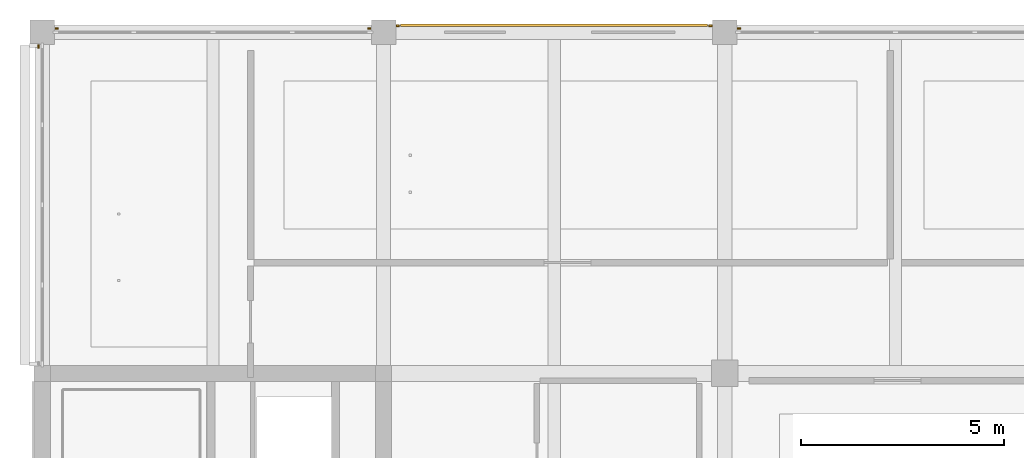
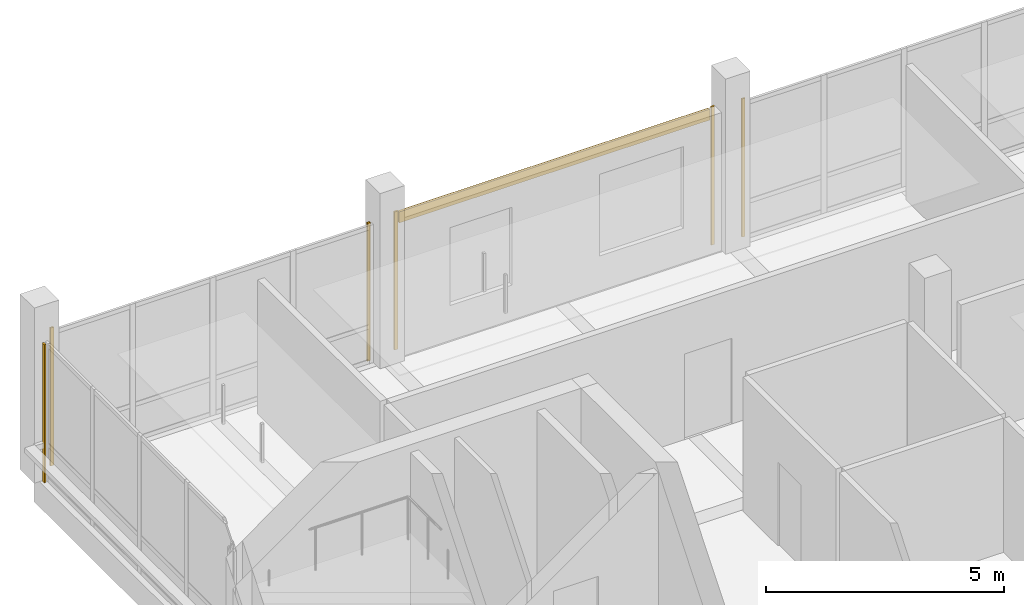
# One storey, part 29 of 30: 7 coverings.
"""IFC4 building model written with IfcOpenShell, lengths in metres."""

from ifc_helpers import new_model, si_unit, direction, frame, origin, origin_2d, place, context, subcontext, project, spatial, rectangle, extrude, material, layer, layer_set, type_object, element, save


model = new_model("IFC4")

# Units and contexts
model_context = context("Model", 3, precision=1e-05, world=origin(), true_north=direction((0.0, 1.0)))
body_context = subcontext(model_context, "Body", "Model", "MODEL_VIEW")
ifc_project = project(units=[si_unit("LENGTHUNIT", "METRE"), si_unit("AREAUNIT", "SQUARE_METRE"), si_unit("VOLUMEUNIT", "CUBIC_METRE"), si_unit("PLANEANGLEUNIT", "RADIAN"), si_unit("MASSUNIT", "GRAM", prefix="KILO")], contexts=[model_context])

# Site, building, storey
site_placement = place(None, origin())
site = spatial("IfcSite", under=ifc_project, at=site_placement, CompositionType="ELEMENT")
building_placement = place(site_placement, origin())
building = spatial("IfcBuilding", under=site, at=building_placement, Name="Telukmera Botanical Conservatory", CompositionType="ELEMENT")
storey_placement = place(building_placement, frame((0.0, 0.0, 60.0)))
storey = spatial("IfcBuildingStorey", under=building, at=storey_placement, Name="L13", CompositionType="ELEMENT", Elevation=60.0)

# Coverings
ifc_material_1 = material(Name="Granite-faced precast concrete C40/50", Category="masonry")
ifc_layer_1 = layer(ifc_material_1, 0.0400390625)
ifc_layer_set_1 = layer_set([ifc_layer_1], Name="Granite-faced precast concrete C40/50")
covering_type_1 = type_object("IfcCoveringType", Name="Granite Precast Column Pier Reveal Casing", PredefinedType="CLADDING", material=ifc_layer_set_1)
for number, where, z_axis, x_axis, name in (
    (1, (59.152099609375, 42.889892578125, 0.0), (0.0, 0.0, 1.0), (1.0, 0.0, 0.0), "Granite Pier Reveal V4:L13:N1 L"),
    (2, (66.847900390625, 42.889892578125, 0.0), (0.0, 0.0, 1.0), (1.0, 0.0, 0.0), "Granite Pier Reveal V4:L13:N1 R"),
    (3, (67.552001953125, 42.9599609375, 0.0), (0.0, 0.0, 1.0), (1.0, 0.0, 0.0), "Granite Pier Reveal V4:L13:N2 L"),
    (4, (75.248046875, 42.9599609375, 0.0), (0.0, 0.0, 1.0), (1.0, 0.0, 0.0), "Granite Pier Reveal V4:L13:N2 R"),
    (5, (75.951904296875, 42.889892578125, 0.0), (0.0, 0.0, 1.0), (1.0, 0.0, 0.0), "Granite Pier Reveal V4:L13:N3 L"),
    (6, (58.7099609375, 42.447998046875, 0.0), (0.0, 0.0, 1.0), (0.0, 1.0, 0.0), "Granite Pier Reveal V4:L13:W4 R"),
):
    element("IfcCovering", number, at=place(storey_placement, frame(where, z_axis=z_axis, x_axis=x_axis)), inside=storey, type_object=covering_type_1, Name=name, PredefinedType="CLADDING", context=body_context, shape_type="SweptSolid", body=[
        extrude(rectangle(XDim=0.080078125, YDim=0.0400390625, at=origin_2d()), origin(), (0.0, 0.0, 1.0), 3.550048828125),
    ])
ifc_material_2 = material(Name="Terracotta-faced precast concrete C40/50", Category="masonry")
ifc_layer_2 = layer(ifc_material_2, 0.06005859375)
ifc_layer_set_2 = layer_set([ifc_layer_2], Name="Terracotta-faced precast concrete C40/50")
covering_type_2 = type_object("IfcCoveringType", Name="Polychrome Terracotta Facade Band Cladding", PredefinedType="CLADDING", material=ifc_layer_set_2)
covering_placement = place(storey_placement, frame((71.39990234375, 42.969970703125, 3.22998046875), z_axis=(0.0, 0.0, 1.0), x_axis=(1.0, 0.0, 0.0)))
element("IfcCovering", 7, at=covering_placement, inside=storey, type_object=covering_type_2, Name="Polychrome Terracotta Band V4:L13:N2", PredefinedType="CLADDING", context=body_context, shape_type="SweptSolid", body=[
    extrude(rectangle(XDim=7.555908203125, YDim=0.06005859375, at=origin_2d()), origin(), (0.0, 0.0, 1.0), 0.280029296875),
])

save(model, "model.ifc")
